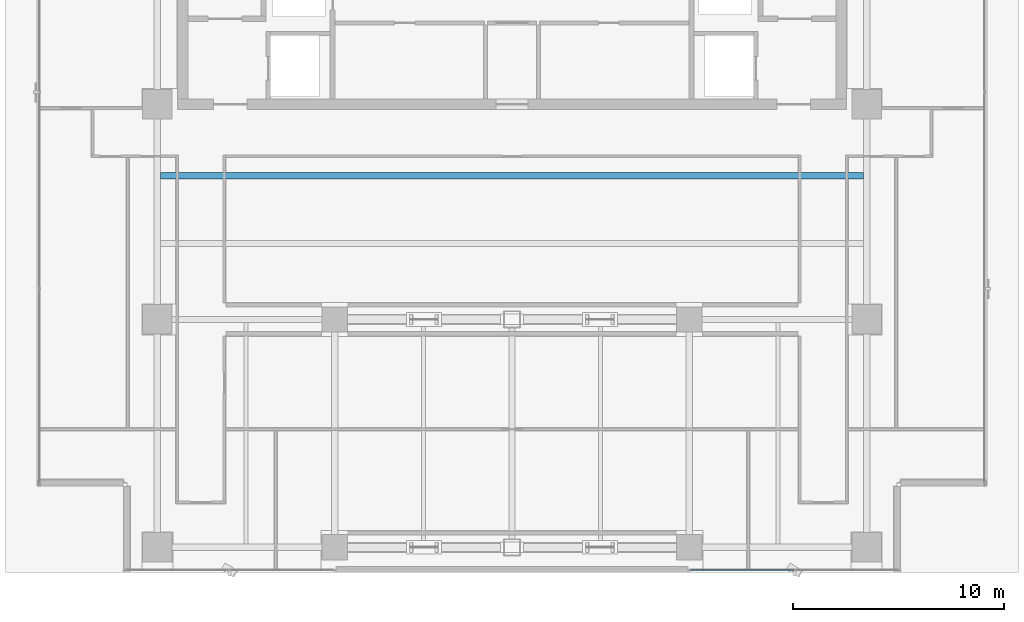
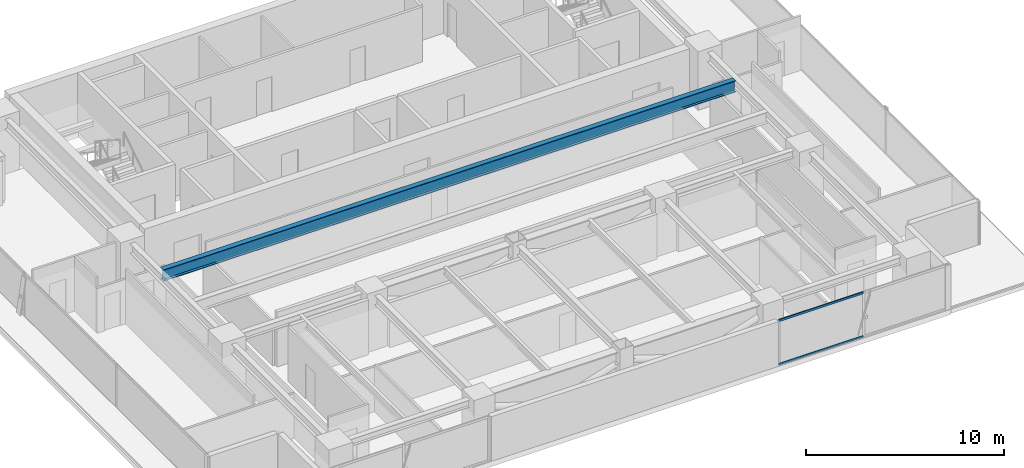
# One storey, part 9 of 27: 2 members, 1 beam, 1 element without a shape of its own.
"""IFC4 building model written with IfcOpenShell, lengths in metres."""

import ifcopenshell
import ifcopenshell.guid

model = None  # the IFC model being written
_history = None  # IfcOwnerHistory: only IFC2X3 demands one
_inside = {}  # id of a spatial element -> (the spatial element, [elements in it])
_under = {}  # id of a project, library or spatial element -> (it, [spatial elements below it])
_declared = {}  # id of a project -> (the project, [libraries it declares])
_typed = {}  # id of a type object -> (the type object, [elements of that type])
_made_of = {}  # id of a material, layer set ... -> (it, [elements and type objects made of it])


def new_model(schema):
    """Start an empty IFC model of exactly this schema.

    Asked for "IFC4X3", IfcOpenShell would pick the latest addendum, in which some entities
    have other attributes; the version numbers below select the first issue.
    IFC2X3 requires an IfcOwnerHistory on every rooted entity: one is made here for all.
    """
    global model, _history
    if schema == "IFC4X3":
        model = ifcopenshell.file(schema_version=(4, 3, 0, 0))
    else:
        model = ifcopenshell.file(schema=schema)
    _inside.clear()
    _under.clear()
    _declared.clear()
    _typed.clear()
    _made_of.clear()
    _history = None
    if model.schema == "IFC2X3":
        org = make("IfcOrganization", Name="unknown")
        user = make(
            "IfcPersonAndOrganization",
            ThePerson=make("IfcPerson", FamilyName="unknown"),
            TheOrganization=org,
        )
        app = make(
            "IfcApplication",
            ApplicationDeveloper=org,
            Version="unknown",
            ApplicationFullName="unknown",
            ApplicationIdentifier="unknown",
        )
        _history = make(
            "IfcOwnerHistory",
            OwningUser=user,
            OwningApplication=app,
            ChangeAction="ADDED",
            CreationDate=0,
        )
    return model


def make(cls, **values):
    """One entity of the class cls with the attributes given. An attribute that is None is left unset."""
    return model.create_entity(
        cls, **{name: value for name, value in values.items() if value is not None}
    )


def rooted(cls, **values):
    """An entity with a GlobalId (a new one), such as an element, a storey or a relation."""
    return make(cls, GlobalId=ifcopenshell.guid.new(), OwnerHistory=_history, **values)


def si_unit(unit_type, name, prefix=None):
    """IfcSIUnit, for example si_unit("LENGTHUNIT", "METRE", prefix="MILLI")."""
    return make("IfcSIUnit", UnitType=unit_type, Prefix=prefix, Name=name)


def assignment(units):
    """IfcUnitAssignment: the units of a project."""
    return None if units is None else make("IfcUnitAssignment", Units=units)


def point(xyz):
    """IfcCartesianPoint."""
    return None if xyz is None else make("IfcCartesianPoint", Coordinates=xyz)


def direction(xyz):
    """IfcDirection."""
    return None if xyz is None else make("IfcDirection", DirectionRatios=xyz)


def frame(location, z_axis=None, x_axis=None):
    """IfcAxis2Placement3D, a coordinate frame: its origin and axes. An axis left out is left unset."""
    return make(
        "IfcAxis2Placement3D",
        Location=point(location),
        Axis=direction(z_axis),
        RefDirection=direction(x_axis),
    )


def frame_2d(location, x_axis=None):
    """IfcAxis2Placement2D, a coordinate frame in the plane: its origin and x axis."""
    return make(
        "IfcAxis2Placement2D", Location=point(location), RefDirection=direction(x_axis)
    )


def origin():
    """The frame at (0, 0, 0) with its axes left unset."""
    return frame((0.0, 0.0, 0.0))


def origin_2d():
    """The frame at (0, 0) in the plane with its x axis left unset."""
    return frame_2d((0.0, 0.0))


def place(relative_to, where):
    """IfcLocalPlacement: puts the frame where relative to a parent placement (None: the world)."""
    return make(
        "IfcLocalPlacement", PlacementRelTo=relative_to, RelativePlacement=where
    )


def context(
    kind, dimensions, precision=None, world=None, true_north=None, identifier=None
):
    """IfcGeometricRepresentationContext, for example the 3D "Model" context."""
    return make(
        "IfcGeometricRepresentationContext",
        ContextIdentifier=identifier,
        ContextType=kind,
        CoordinateSpaceDimension=dimensions,
        Precision=precision,
        WorldCoordinateSystem=world,
        TrueNorth=true_north,
    )


def subcontext(parent, identifier, kind, view, scale=None):
    """IfcGeometricRepresentationSubContext, for example "Body" below "Model"."""
    return make(
        "IfcGeometricRepresentationSubContext",
        ContextIdentifier=identifier,
        ContextType=kind,
        ParentContext=parent,
        TargetScale=scale,
        TargetView=view,
    )


def project(units=None, contexts=None):
    """IfcProject with its units and contexts."""
    return rooted(
        "IfcProject",
        Name="project",
        RepresentationContexts=contexts,
        UnitsInContext=assignment(units),
    )


def spatial(cls, under=None, at=None, **own):
    """A site, building, storey or space (cls), placed at a placement, below another one or the project."""
    s = rooted(cls, ObjectPlacement=at, **own)
    if under is not None:
        _under.setdefault(under.id(), (under, []))[1].append(s)
    return s


def profile(cls, at=None, kind="AREA", **sizes):
    """A parametric profile (cls). Its sizes go by their IFC names, for example OverallWidth=200.0."""
    return make(cls, ProfileType=kind, Position=at, **sizes)


def hollow_rectangle(**sizes):
    """IfcRectangleHollowProfileDef."""
    return profile("IfcRectangleHollowProfileDef", **sizes)


def i_section(**sizes):
    """IfcIShapeProfileDef."""
    return profile("IfcIShapeProfileDef", **sizes)


def extrude(swept, where, along, depth):
    """IfcExtrudedAreaSolid: the profile swept, set in the frame where, extruded along a direction by depth."""
    return make(
        "IfcExtrudedAreaSolid",
        SweptArea=swept,
        Position=where,
        ExtrudedDirection=direction(along),
        Depth=depth,
    )


def shape(context_of_items, identifier, shape_type, items):
    """IfcShapeRepresentation: the items that make up one representation, for example the "Body"."""
    return make(
        "IfcShapeRepresentation",
        ContextOfItems=context_of_items,
        RepresentationIdentifier=identifier,
        RepresentationType=shape_type,
        Items=items,
    )


def source(mapping_origin, context_of_items, identifier, shape_type, items):
    """IfcRepresentationMap: a shape defined once, which mapped items show again and again."""
    return make(
        "IfcRepresentationMap",
        MappingOrigin=mapping_origin,
        MappedRepresentation=shape(context_of_items, identifier, shape_type, items),
    )


def transform(
    local_origin,
    x_axis=None,
    y_axis=None,
    z_axis=None,
    scale=None,
    scale2=None,
    scale3=None,
    uniform=True,
):
    """IfcCartesianTransformationOperator3D, or its non-uniform kind. x_axis, y_axis, z_axis: its Axis1, 2, 3."""
    if uniform:
        return make(
            "IfcCartesianTransformationOperator3D",
            Axis1=direction(x_axis),
            Axis2=direction(y_axis),
            LocalOrigin=point(local_origin),
            Scale=scale,
            Axis3=direction(z_axis),
        )
    return make(
        "IfcCartesianTransformationOperator3DnonUniform",
        Axis1=direction(x_axis),
        Axis2=direction(y_axis),
        LocalOrigin=point(local_origin),
        Scale=scale,
        Axis3=direction(z_axis),
        Scale2=scale2,
        Scale3=scale3,
    )


def mapped(mapping_source, mapping_target):
    """IfcMappedItem: shows the shape of a source again, moved by a transform."""
    return make(
        "IfcMappedItem", MappingSource=mapping_source, MappingTarget=mapping_target
    )


def material(Name=None, Category=None):
    """IfcMaterial."""
    return make("IfcMaterial", Name=Name, Category=Category)


def layer(
    of_material, thickness, ventilated=None, Name=None, Category=None, Priority=None
):
    """IfcMaterialLayer: one layer of a wall or slab, of a material (None: an air gap)."""
    return make(
        "IfcMaterialLayer",
        Material=of_material,
        LayerThickness=thickness,
        IsVentilated=ventilated,
        Name=Name,
        Category=Category,
        Priority=Priority,
    )


def layer_set(layers, Name=None):
    """IfcMaterialLayerSet."""
    return make("IfcMaterialLayerSet", MaterialLayers=layers, LayerSetName=Name)


def material_profile(
    of_material, cross_section, Name=None, Category=None, Priority=None
):
    """IfcMaterialProfile: a cross section and its material."""
    return make(
        "IfcMaterialProfile",
        Name=Name,
        Material=of_material,
        Profile=cross_section,
        Priority=Priority,
        Category=Category,
    )


def profile_set(profiles, Name=None, composite=None):
    """IfcMaterialProfileSet."""
    return make(
        "IfcMaterialProfileSet",
        Name=Name,
        MaterialProfiles=profiles,
        CompositeProfile=composite,
    )


def made_of(thing, what):
    """Note that an element or type object is made of a material, layer set ...; save() writes the relation."""
    if what is not None:
        _made_of.setdefault(what.id(), (what, []))[1].append(thing)
    return thing


def type_object(cls, material=None, **own):
    """A type object (cls), such as IfcWallType, which elements share."""
    return made_of(rooted(cls, **own), material)


def element(
    cls,
    number,
    at=None,
    inside=None,
    cuts=None,
    type_object=None,
    material=None,
    context=None,
    identifier="Body",
    shape_type=None,
    held_by="IfcProductDefinitionShape",
    body=None,
    shapes=None,
    **own,
):
    """One element of the class cls, such as IfcWall. Its Tag is "e" and its number.

    at: its placement. inside: the storey or other place that contains it. cuts: it is an
    opening in that element (IfcRelVoidsElement). A single representation is given by context,
    identifier, shape_type and body (its items); several are given by shapes. held_by: the class
    of the entity that holds the representations. save() writes the other relations.
    """
    e = rooted(cls, Tag="e%d" % number, ObjectPlacement=at, **own)
    if body is not None:
        shapes = [shape(context, identifier, shape_type, body)]
    if shapes is not None:
        e.Representation = make(held_by, Representations=shapes)
    if inside is not None:
        _inside.setdefault(inside.id(), (inside, []))[1].append(e)
    if cuts is not None:
        rooted(
            "IfcRelVoidsElement", RelatingBuildingElement=cuts, RelatedOpeningElement=e
        )
    if type_object is not None:
        _typed.setdefault(type_object.id(), (type_object, []))[1].append(e)
    return made_of(e, material)


def aggregate(whole, parts):
    """IfcRelAggregates: a whole, such as a stair, and the parts it consists of."""
    return rooted("IfcRelAggregates", RelatingObject=whole, RelatedObjects=parts)


def save(model, path):
    """Write the relations noted so far, then the file.

    IfcRelAggregates (storeys below a building ...), IfcRelContainedInSpatialStructure (elements
    in a storey), IfcRelDefinesByType, IfcRelAssociatesMaterial and IfcRelDeclares: one each for
    every whole, place, type object, material and project.
    """
    for whole, parts in _under.values():
        aggregate(whole, parts)
    for where, things in _inside.values():
        rooted(
            "IfcRelContainedInSpatialStructure",
            RelatedElements=things,
            RelatingStructure=where,
        )
    for kind, things in _typed.values():
        rooted("IfcRelDefinesByType", RelatedObjects=things, RelatingType=kind)
    for what, things in _made_of.values():
        rooted("IfcRelAssociatesMaterial", RelatedObjects=things, RelatingMaterial=what)
    for by, libraries in _declared.values():
        rooted("IfcRelDeclares", RelatingContext=by, RelatedDefinitions=libraries)
    model.write(path)


model = new_model("IFC4")

# Units and contexts
model_context = context("Model", 3, precision=1e-05, world=origin(), true_north=direction((0.0, 1.0)))
body_context = subcontext(model_context, "Body", "Model", "MODEL_VIEW")
ifc_project = project(units=[si_unit("LENGTHUNIT", "METRE"), si_unit("AREAUNIT", "SQUARE_METRE"), si_unit("VOLUMEUNIT", "CUBIC_METRE"), si_unit("PLANEANGLEUNIT", "RADIAN"), si_unit("MASSUNIT", "GRAM", prefix="KILO")], contexts=[model_context])

# Site, building, storey
site_placement = place(None, origin())
site = spatial("IfcSite", under=ifc_project, at=site_placement, CompositionType="ELEMENT")
building_placement = place(site_placement, origin())
building = spatial("IfcBuilding", under=site, at=building_placement, Name="Sumidabori Civic Tower", CompositionType="ELEMENT")
storey_placement = place(building_placement, frame((0.0, 0.0, 228.800048828125)))
storey = spatial("IfcBuildingStorey", under=building, at=storey_placement, Name="L59", CompositionType="ELEMENT", Elevation=228.800048828125)

# Beam
ifc_material_1 = material(Name="Steel SN490", Category="steel")
ifc_material_profile_1 = material_profile(ifc_material_1, i_section(OverallWidth=0.300048828125, OverallDepth=0.699951171875, WebThickness=0.01708984375, FlangeThickness=0.031982421875, at=origin_2d()), Name="HE 700 B")
ifc_profile_set_1 = profile_set([ifc_material_profile_1], Name="Steel SN490")
beam_type = type_object("IfcBeamType", Name="BM-GIRD-700", PredefinedType="BEAM", material=ifc_profile_set_1)
shared_shape_1 = source(origin(), body_context, "Body", "SweptSolid", [
    extrude(i_section(OverallWidth=0.300048828125, OverallDepth=0.699951171875, WebThickness=0.01708984375, FlangeThickness=0.031982421875, at=origin_2d()), origin(), (0.0, 0.0, 1.0), 33.2998046875),
])
beam_placement = place(storey_placement, frame((-16.64990234375, 6.800048828125, 3.02001953125), z_axis=(1.0, 0.0, 0.0), x_axis=(0.0, 1.0, 0.0)))
element("IfcBeam", 1, at=beam_placement, inside=storey, type_object=beam_type, Name="North Bay Floor Beam L59 JSTN-15", PredefinedType="BEAM", context=body_context, shape_type="MappedRepresentation", body=[
    mapped(shared_shape_1, transform((0.0, 0.0, 0.0), x_axis=(1.0, 0.0, 0.0), y_axis=(0.0, 1.0, 0.0), z_axis=(0.0, 0.0, 1.0), scale=1.0)),
])

# Curtain wall, members
ifc_material_2 = material(Name="Anodised Bronze Aluminium AW-6063-T6", Category="aluminium")
ifc_layer = layer(ifc_material_2, 0.179931640625, Name="Anodised Bronze Aluminium AW-6063-T6")
ifc_layer_set = layer_set([ifc_layer], Name="Anodised Bronze Aluminium AW-6063-T6")
curtain_wall_type = type_object("IfcCurtainWallType", Name="CW-SYS-5", PredefinedType="NOTDEFINED", material=ifc_layer_set)
curtain_wall_placement = place(storey_placement, origin())
curtain_wall = element("IfcCurtainWall", 2, at=curtain_wall_placement, inside=storey, type_object=curtain_wall_type, Name="Curtain Wall CW:L59:R02", PredefinedType="NOTDEFINED")
ifc_material_profile_2 = material_profile(ifc_material_2, hollow_rectangle(XDim=0.06005859375, YDim=0.1298828125, WallThickness=0.0048828125, at=origin_2d()), Name="ALU TRANSOM 130x60")
ifc_profile_set_2 = profile_set([ifc_material_profile_2], Name="Anodised Bronze Aluminium AW-6063-T6")
member_type = type_object("IfcMemberType", Name="CW-TRN-130", PredefinedType="USERDEFINED", material=ifc_profile_set_2)
shared_shape_2 = source(origin(), body_context, "Body", "SweptSolid", [
    extrude(hollow_rectangle(XDim=0.06005859375, YDim=0.1298828125, WallThickness=0.0048828125, at=origin_2d()), origin(), (0.0, 0.0, 1.0), 4.89501953125),
])
member_1_placement = place(storey_placement, frame((8.4599609375, -11.8798828125, 0.030029296875), z_axis=(1.0, 0.0, 0.0), x_axis=(0.0, 1.0, 0.0)))
member_1 = element("IfcMember", 3, at=member_1_placement, type_object=member_type, Name="CW-5 transom 1.1", ObjectType="TRANSOM", PredefinedType="USERDEFINED", context=body_context, shape_type="MappedRepresentation", body=[
    mapped(shared_shape_2, transform((0.0, 0.0, 0.0), x_axis=(1.0, 0.0, 0.0), y_axis=(0.0, 1.0, 0.0), z_axis=(0.0, 0.0, 1.0), scale=1.0)),
])
member_2_placement = place(storey_placement, frame((8.4599609375, -11.8798828125, 2.719970703125), z_axis=(1.0, 0.0, 0.0), x_axis=(0.0, 1.0, 0.0)))
member_2 = element("IfcMember", 4, at=member_2_placement, type_object=member_type, Name="CW-5 transom 1.2", ObjectType="TRANSOM", PredefinedType="USERDEFINED", context=body_context, shape_type="MappedRepresentation", body=[
    mapped(shared_shape_2, transform((0.0, 0.0, 0.0), x_axis=(1.0, 0.0, 0.0), y_axis=(0.0, 1.0, 0.0), z_axis=(0.0, 0.0, 1.0), scale=1.0)),
])
aggregate(curtain_wall, [member_1, member_2])

save(model, "model.ifc")
